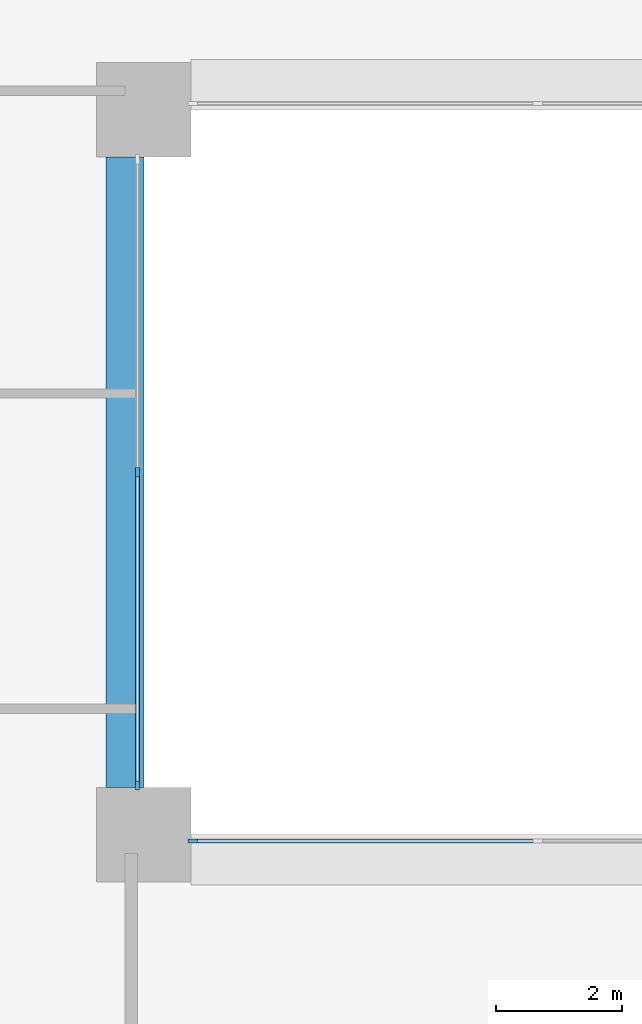
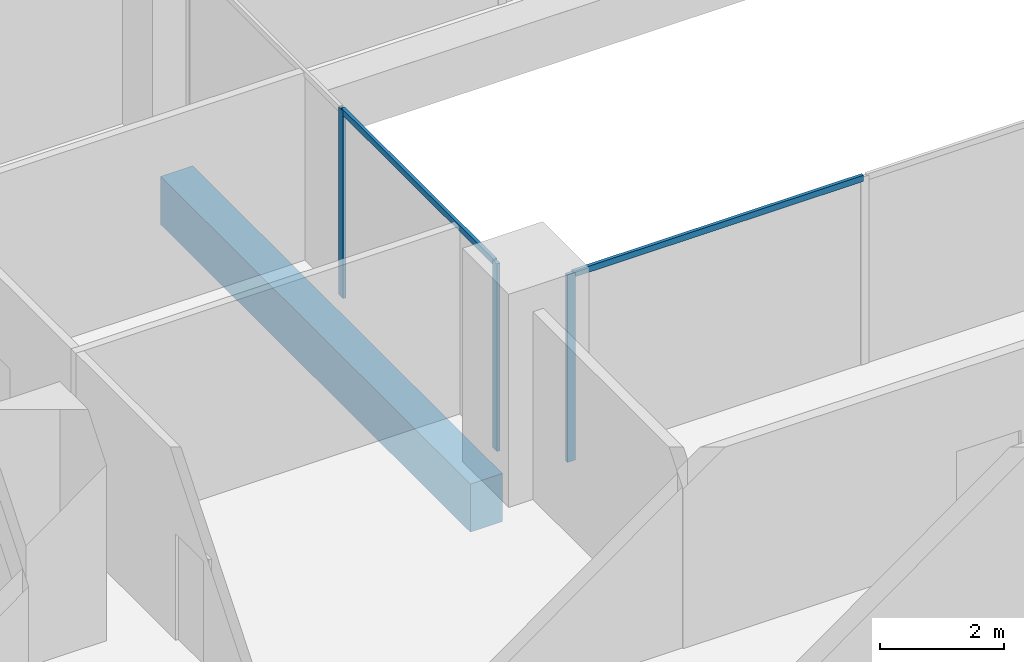
# One storey, part 3 of 20: 5 members, 1 beam, 2 elements without a shape of their own.
"""IFC4 building model written with IfcOpenShell, lengths in metres."""

from ifc_helpers import new_model, si_unit, direction, frame, origin, origin_2d, place, context, subcontext, project, spatial, rectangle, extrude, material, layer, layer_set, material_profile, profile_set, type_object, element, aggregate, save


model = new_model("IFC4")

# Units and contexts
model_context = context("Model", 3, precision=1e-05, world=origin(), true_north=direction((0.0, 1.0)))
body_context = subcontext(model_context, "Body", "Model", "MODEL_VIEW")
ifc_project = project(units=[si_unit("LENGTHUNIT", "METRE"), si_unit("AREAUNIT", "SQUARE_METRE"), si_unit("VOLUMEUNIT", "CUBIC_METRE"), si_unit("PLANEANGLEUNIT", "RADIAN"), si_unit("MASSUNIT", "GRAM", prefix="KILO")], contexts=[model_context])

# Site, building, storey
site_placement = place(None, origin())
site = spatial("IfcSite", under=ifc_project, at=site_placement, CompositionType="ELEMENT")
building_placement = place(site_placement, origin())
building = spatial("IfcBuilding", under=site, at=building_placement, Name="Brigalow Station Residences", CompositionType="ELEMENT")
storey_placement = place(building_placement, frame((0.0, 0.0, 73.050048828125)))
storey = spatial("IfcBuildingStorey", under=building, at=storey_placement, Name="L21", CompositionType="ELEMENT", Elevation=73.050048828125)

# Beam
ifc_material_1 = material(Name="Concrete C65", Category="concrete")
ifc_material_profile_1 = material_profile(ifc_material_1, rectangle(XDim=0.60009765625, YDim=0.949951171875, at=origin_2d()), Name="RC600x950")
ifc_profile_set_1 = profile_set([ifc_material_profile_1], Name="Concrete C65")
beam_type = type_object("IfcBeamType", Name="ATRIUM EDGE GIRDER 600x950 C65", PredefinedType="BEAM", material=ifc_profile_set_1)
beam_placement = place(storey_placement, frame((26.699951171875, 24.75, -0.97509765625), z_axis=(0.0, 1.0, 0.0), x_axis=(-1.0, 0.0, 0.0)))
element("IfcBeam", 1, at=beam_placement, inside=storey, type_object=beam_type, Name="ATRIUM EDGE GIRDER 3 L21", PredefinedType="BEAM", context=body_context, shape_type="SweptSolid", body=[
    extrude(rectangle(XDim=0.60009765625, YDim=0.949951171875, at=origin_2d()), origin(), (0.0, 0.0, 1.0), 10.0),
])

# Curtain wall, member
ifc_material_2 = material(Name="Aluminium", Category="aluminium")
ifc_layer = layer(ifc_material_2, 0.14990234375)
ifc_layer_set = layer_set([ifc_layer], Name="ATRIUM FIRE-RATED GLAZING CURTAIN WALL")
curtain_wall_type = type_object("IfcCurtainWallType", Name="ATRIUM FIRE-RATED GLAZING CURTAIN WALL", PredefinedType="NOTDEFINED", material=ifc_layer_set)
curtain_wall_1_placement = place(storey_placement, origin())
curtain_wall_1 = element("IfcCurtainWall", 2, at=curtain_wall_1_placement, inside=storey, type_object=curtain_wall_type, Name="L21/cw/atrium-S", PredefinedType="NOTDEFINED")
ifc_material_3 = material(Name="Aluminium", Category="aluminium")
ifc_material_profile_2 = material_profile(ifc_material_3, rectangle(XDim=0.06005859375, YDim=0.14990234375, at=origin_2d()), Name="ATRIUM FIRE-RATED GLAZING MULLION 60x150")
ifc_profile_set_2 = profile_set([ifc_material_profile_2], Name="Aluminium")
member_type_1 = type_object("IfcMemberType", Name="ATRIUM FIRE-RATED GLAZING MULLION 60x150", PredefinedType="MULLION", material=ifc_profile_set_2)
member_1_placement = place(storey_placement, frame((27.780029296875, 23.89990234375, 0.0), z_axis=(0.0, 0.0, 1.0), x_axis=(0.0, 1.0, 0.0)))
member_1 = element("IfcMember", 3, at=member_1_placement, type_object=member_type_1, Name="L21/cw/atrium-S/M00", PredefinedType="MULLION", context=body_context, shape_type="SweptSolid", body=[
    extrude(rectangle(XDim=0.06005859375, YDim=0.14990234375, at=origin_2d()), origin(), (0.0, 0.0, 1.0), 3.699951171875),
])

# Curtain wall, members
curtain_wall_2_placement = place(storey_placement, origin())
curtain_wall_2 = element("IfcCurtainWall", 4, at=curtain_wall_2_placement, inside=storey, type_object=curtain_wall_type, Name="L21/cw/atrium-W", PredefinedType="NOTDEFINED")
member_2_placement = place(storey_placement, frame((26.89990234375, 29.75, 0.0), z_axis=(0.0, 0.0, 1.0), x_axis=(1.0, 0.0, 0.0)))
member_2 = element("IfcMember", 5, at=member_2_placement, type_object=member_type_1, Name="L21/cw/atrium-W/M01", PredefinedType="MULLION", context=body_context, shape_type="SweptSolid", body=[
    extrude(rectangle(XDim=0.06005859375, YDim=0.14990234375, at=origin_2d()), origin(), (0.0, 0.0, 1.0), 3.699951171875),
])
member_3_placement = place(storey_placement, frame((26.89990234375, 24.780029296875, 0.0), z_axis=(0.0, 0.0, 1.0), x_axis=(1.0, 0.0, 0.0)))
member_3 = element("IfcMember", 6, at=member_3_placement, type_object=member_type_1, Name="L21/cw/atrium-W/M02", PredefinedType="MULLION", context=body_context, shape_type="SweptSolid", body=[
    extrude(rectangle(XDim=0.06005859375, YDim=0.14990234375, at=origin_2d()), origin(), (0.0, 0.0, 1.0), 3.699951171875),
])

# Member
ifc_material_4 = material(Name="Aluminium", Category="aluminium")
ifc_material_profile_3 = material_profile(ifc_material_4, rectangle(XDim=0.06005859375, YDim=0.1201171875, at=origin_2d()), Name="ATRIUM FIRE-RATED GLAZING TRANSOM 60x120")
ifc_profile_set_3 = profile_set([ifc_material_profile_3], Name="Aluminium")
member_type_2 = type_object("IfcMemberType", Name="ATRIUM FIRE-RATED GLAZING TRANSOM 60x120", PredefinedType="USERDEFINED", material=ifc_profile_set_3)
member_4_placement = place(storey_placement, frame((27.81005859375, 23.89990234375, 3.669921875), z_axis=(1.0, 0.0, 0.0), x_axis=(0.0, 1.0, 0.0)))
member_4 = element("IfcMember", 7, at=member_4_placement, type_object=member_type_2, Name="L21/cw/atrium-S/T00-00", ObjectType="TRANSOM", PredefinedType="USERDEFINED", context=body_context, shape_type="SweptSolid", body=[
    extrude(rectangle(XDim=0.06005859375, YDim=0.1201171875, at=origin_2d()), origin(), (0.0, 0.0, 1.0), 5.409912109375),
])

aggregate(curtain_wall_1, [member_1, member_4])

member_5_placement = place(storey_placement, frame((26.89990234375, 29.719970703125, 3.669921875), z_axis=(0.0, -1.0, 0.0), x_axis=(1.0, 0.0, 0.0)))
member_5 = element("IfcMember", 8, at=member_5_placement, type_object=member_type_2, Name="L21/cw/atrium-W/T01-00", ObjectType="TRANSOM", PredefinedType="USERDEFINED", context=body_context, shape_type="SweptSolid", body=[
    extrude(rectangle(XDim=0.06005859375, YDim=0.1201171875, at=origin_2d()), origin(), (0.0, 0.0, 1.0), 4.909912109375),
])

aggregate(curtain_wall_2, [member_2, member_3, member_5])

save(model, "model.ifc")
